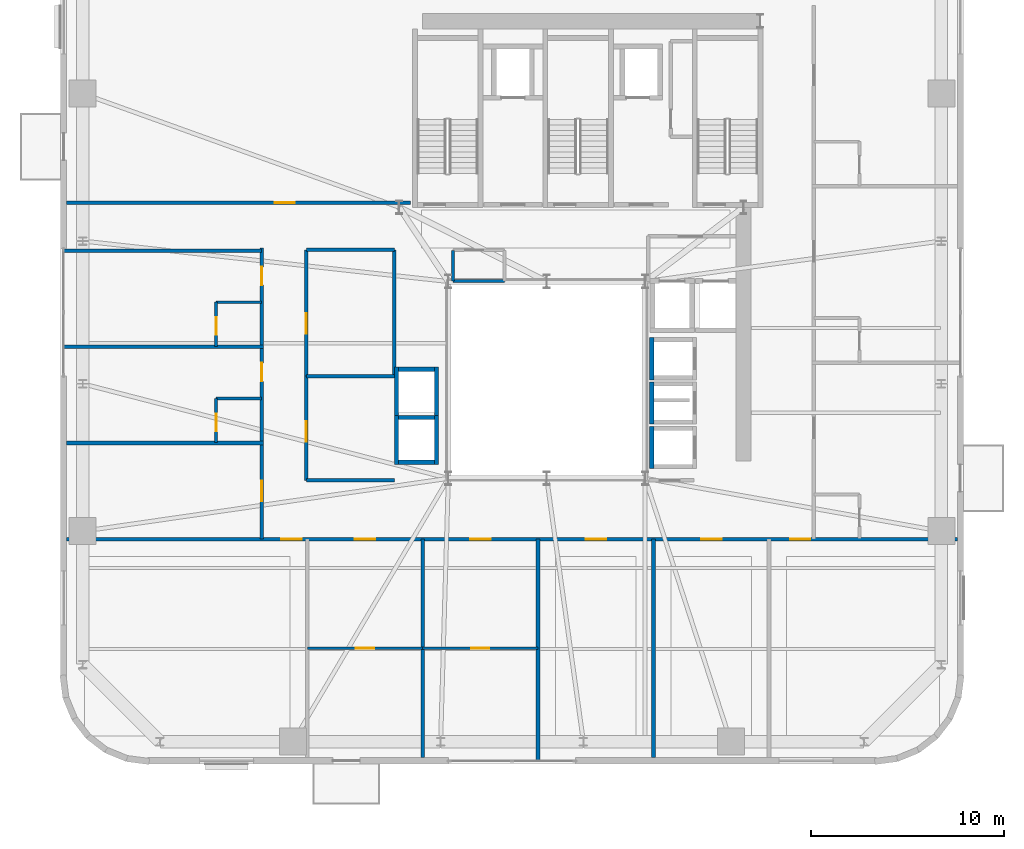
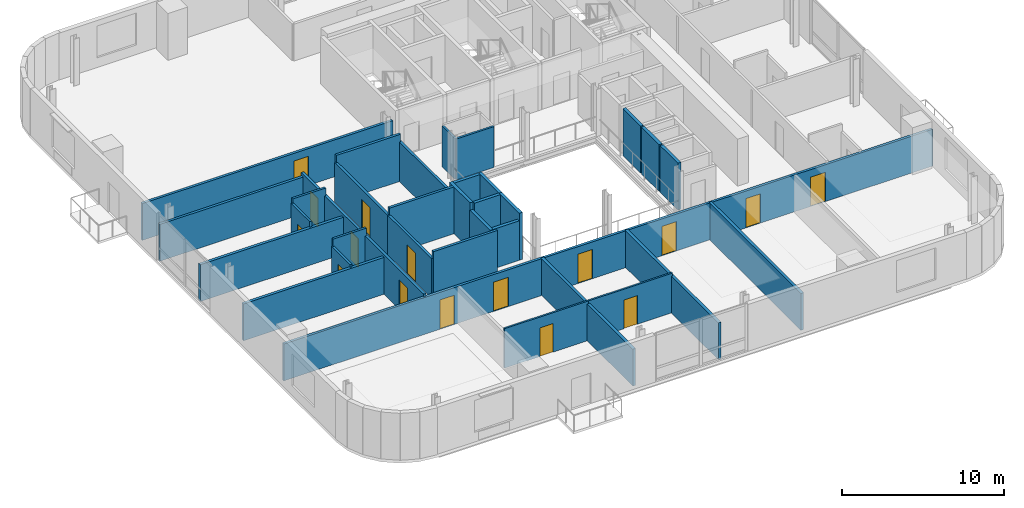
# One storey, part 8 of 16: 33 walls, 16 doors, 16 openings.
"""IFC4 building model written with IfcOpenShell, lengths in metres."""

from ifc_helpers import new_model, si_unit, direction, frame, frame_2d, origin, place, context, subcontext, project, spatial, rectangle, extrude, source, transform, mapped, material, layer, layer_set, type_object, element, fill, save


model = new_model("IFC4")

# Units and contexts
model_context = context("Model", 3, precision=1e-05, world=origin(), true_north=direction((0.0, 1.0)))
body_context = subcontext(model_context, "Body", "Model", "MODEL_VIEW")
ifc_project = project(units=[si_unit("LENGTHUNIT", "METRE"), si_unit("AREAUNIT", "SQUARE_METRE"), si_unit("VOLUMEUNIT", "CUBIC_METRE"), si_unit("PLANEANGLEUNIT", "RADIAN"), si_unit("MASSUNIT", "GRAM", prefix="KILO")], contexts=[model_context])

# Site, building, storey
site_placement = place(None, origin())
site = spatial("IfcSite", under=ifc_project, at=site_placement, CompositionType="ELEMENT")
building_placement = place(site_placement, origin())
building = spatial("IfcBuilding", under=site, at=building_placement, Name="Vardaveli Station Tower", CompositionType="ELEMENT")
storey_placement = place(building_placement, frame((0.0, 0.0, 203.550048828125)))
storey = spatial("IfcBuildingStorey", under=building, at=storey_placement, Name="L52", CompositionType="ELEMENT", Elevation=203.550048828125)

# Walls
ifc_material_1 = material(Name="Concrete C40/50", Category="concrete")
ifc_layer_1 = layer(ifc_material_1, 0.219970703125, Name="Concrete C40/50")
ifc_layer_set_1 = layer_set([ifc_layer_1], Name="Concrete C40/50")
wall_type_1 = type_object("IfcWallType", Name="WAL-FFLOBBY-220", PredefinedType="SOLIDWALL", material=ifc_layer_set_1)
shared_shape_1 = source(origin(), body_context, "Body", "SweptSolid", [
    extrude(rectangle(XDim=2.18994140625, YDim=0.219970703125, at=frame_2d((1.094970703125, 0.0))), origin(), (0.0, 0.0, 1.0), 3.530029296875),
])
for number, where, z_axis, x_axis, name in (
    (1, (41.739990234375, 21.705078125, 0.0), (0.0, 0.0, 1.0), (0.0, 1.0, 0.0), "SHW-HL3-01-L52-W"),
    (2, (41.739990234375, 19.405029296875, 0.0), (0.0, 0.0, 1.0), (0.0, 1.0, 0.0), "SHW-HL3-02-L52-W"),
    (3, (41.739990234375, 17.10498046875, 0.0), (0.0, 0.0, 1.0), (0.0, 1.0, 0.0), "SHW-HL3-03-L52-W"),
):
    element("IfcWall", number, at=place(storey_placement, frame(where, z_axis=z_axis, x_axis=x_axis)), inside=storey, type_object=wall_type_1, Name=name, PredefinedType="SOLIDWALL", context=body_context, shape_type="MappedRepresentation", body=[
        mapped(shared_shape_1, transform((0.0, 0.0, 0.0), scale=1.0)),
    ])
shared_shape_2 = source(origin(), body_context, "Body", "SweptSolid", [
    extrude(rectangle(XDim=1.85009765625, YDim=0.219970703125, at=frame_2d((0.925048828125, 0.0))), origin(), (0.0, 0.0, 1.0), 2.971923828125),
])
wall_1_placement = place(storey_placement, frame((28.625, 17.43994140625, 0.0), z_axis=(0.0, 0.0, 1.0), x_axis=(1.0, 0.0, 0.0)))
element("IfcWall", 4, at=wall_1_placement, inside=storey, type_object=wall_type_1, Name="SHW-OBS-01-L52-S", PredefinedType="SOLIDWALL", context=body_context, shape_type="MappedRepresentation", body=[
    mapped(shared_shape_2, transform((0.0, 0.0, 0.0), scale=1.0)),
])
shared_shape_3 = source(origin(), body_context, "Body", "SweptSolid", [
    extrude(rectangle(XDim=1.85009765625, YDim=0.219970703125, at=frame_2d((0.925048828125, 0.0))), origin(), (0.0, 0.0, 1.0), 3.530029296875),
])
for number, where, z_axis, x_axis, name in (
    (5, (28.625, 19.760009765625, 0.0), (0.0, 0.0, 1.0), (1.0, 0.0, 0.0), "SHW-OBS-01-L52-N"),
    (6, (28.625, 22.260009765625, 0.0), (0.0, 0.0, 1.0), (1.0, 0.0, 0.0), "SHW-OBS-02-L52-N"),
):
    element("IfcWall", number, at=place(storey_placement, frame(where, z_axis=z_axis, x_axis=x_axis)), inside=storey, type_object=wall_type_1, Name=name, PredefinedType="SOLIDWALL", context=body_context, shape_type="MappedRepresentation", body=[
        mapped(shared_shape_3, transform((0.0, 0.0, 0.0), scale=1.0)),
    ])
shared_shape_4 = source(origin(), body_context, "Body", "SweptSolid", [
    extrude(rectangle(XDim=2.5400390625, YDim=0.219970703125, at=frame_2d((1.27001953125, 0.0))), origin(), (0.0, 0.0, 1.0), 2.971923828125),
])
wall_2_placement = place(storey_placement, frame((28.514892578125, 17.330078125, 0.0), z_axis=(0.0, 0.0, 1.0), x_axis=(0.0, 1.0, 0.0)))
element("IfcWall", 7, at=wall_2_placement, inside=storey, type_object=wall_type_1, Name="SHW-OBS-01-L52-W", PredefinedType="SOLIDWALL", context=body_context, shape_type="MappedRepresentation", body=[
    mapped(shared_shape_4, transform((0.0, 0.0, 0.0), scale=1.0)),
])
shared_shape_5 = source(origin(), body_context, "Body", "SweptSolid", [
    extrude(rectangle(XDim=2.5400390625, YDim=0.219970703125, at=frame_2d((1.27001953125, 0.0))), origin(), (0.0, 0.0, 1.0), 3.530029296875),
])
for number, where, z_axis, x_axis, name in (
    (8, (30.5849609375, 17.330078125, 0.0), (0.0, 0.0, 1.0), (0.0, 1.0, 0.0), "SHW-OBS-01-L52-E"),
    (9, (28.514892578125, 19.830078125, 0.0), (0.0, 0.0, 1.0), (0.0, 1.0, 0.0), "SHW-OBS-02-L52-W"),
    (10, (30.5849609375, 19.830078125, 0.0), (0.0, 0.0, 1.0), (0.0, 1.0, 0.0), "SHW-OBS-02-L52-E"),
):
    element("IfcWall", number, at=place(storey_placement, frame(where, z_axis=z_axis, x_axis=x_axis)), inside=storey, type_object=wall_type_1, Name=name, PredefinedType="SOLIDWALL", context=body_context, shape_type="MappedRepresentation", body=[
        mapped(shared_shape_5, transform((0.0, 0.0, 0.0), scale=1.0)),
    ])

# Wall, openings, doors
ifc_material_2 = material(Name="Fire-rated gypsum stud partition")
ifc_layer_2 = layer(ifc_material_2, 0.179931640625, Name="Fire-rated gypsum stud partition")
ifc_layer_set_2 = layer_set([ifc_layer_2], Name="Fire-rated gypsum stud partition")
wall_type_2 = type_object("IfcWallType", Name="WAL-CORR-180", PredefinedType="PARTITIONING", material=ifc_layer_set_2)
shared_shape_6 = source(origin(), body_context, "Body", "SweptSolid", [
    extrude(rectangle(XDim=46.15576171875, YDim=0.179931640625, at=frame_2d((23.077880859375, 0.0))), origin(), (0.0, 0.0, 1.0), 2.77197265625),
])
wall_3_placement = place(storey_placement, frame((11.422119140625, 13.449951171875, 0.0), z_axis=(0.0, 0.0, 1.0), x_axis=(1.0, 0.0, 0.0)))
wall_3 = element("IfcWall", 11, at=wall_3_placement, inside=storey, type_object=wall_type_2, Name="W-L52-CS", PredefinedType="PARTITIONING", context=body_context, shape_type="MappedRepresentation", body=[
    mapped(shared_shape_6, transform((0.0, 0.0, 0.0), scale=1.0)),
])
shared_shape_7 = source(origin(), body_context, "Body", "SweptSolid", [
    extrude(rectangle(XDim=1.050048828125, YDim=2.199951171875, at=frame_2d((0.52490234375, 1.10009765625))), frame((0.0, 0.10009765625, 0.0), z_axis=(0.0, -1.0, 0.0), x_axis=(1.0, 0.0, 0.0)), (0.0, 0.0, 1.0), 0.199951171875),
])
opening_1_placement = place(wall_3_placement, frame((11.117919921875, 0.0, 0.0)))
opening_1 = element("IfcOpeningElement", 12, at=opening_1_placement, cuts=wall_3, Name="Opening D-05", PredefinedType="OPENING", context=body_context, shape_type="MappedRepresentation", body=[
    mapped(shared_shape_7, transform((0.0, 0.0, 0.0), scale=1.0)),
])
opening_2_placement = place(wall_3_placement, frame((14.939208984375, 0.0, 0.0)))
opening_2 = element("IfcOpeningElement", 13, at=opening_2_placement, cuts=wall_3, Name="Opening D-05", PredefinedType="OPENING", context=body_context, shape_type="MappedRepresentation", body=[
    mapped(shared_shape_7, transform((0.0, 0.0, 0.0), scale=1.0)),
])
opening_3_placement = place(wall_3_placement, frame((20.921630859375, 0.0, 0.0)))
opening_3 = element("IfcOpeningElement", 14, at=opening_3_placement, cuts=wall_3, Name="Opening D-05", PredefinedType="OPENING", context=body_context, shape_type="MappedRepresentation", body=[
    mapped(shared_shape_7, transform((0.0, 0.0, 0.0), scale=1.0)),
])
opening_4_placement = place(wall_3_placement, frame((26.904296875, 0.0, 0.0)))
opening_4 = element("IfcOpeningElement", 15, at=opening_4_placement, cuts=wall_3, Name="Opening D-05", PredefinedType="OPENING", context=body_context, shape_type="MappedRepresentation", body=[
    mapped(shared_shape_7, transform((0.0, 0.0, 0.0), scale=1.0)),
])
opening_5_placement = place(wall_3_placement, frame((32.88671875, 0.0, 0.0)))
opening_5 = element("IfcOpeningElement", 16, at=opening_5_placement, cuts=wall_3, Name="Opening D-05", PredefinedType="OPENING", context=body_context, shape_type="MappedRepresentation", body=[
    mapped(shared_shape_7, transform((0.0, 0.0, 0.0), scale=1.0)),
])
opening_6_placement = place(wall_3_placement, frame((37.498046875, 0.0, 0.0)))
opening_6 = element("IfcOpeningElement", 17, at=opening_6_placement, cuts=wall_3, Name="Opening D-05", PredefinedType="OPENING", context=body_context, shape_type="MappedRepresentation", body=[
    mapped(shared_shape_7, transform((0.0, 0.0, 0.0), scale=1.0)),
])
ifc_material_3 = material(Name="Walnut veneer acoustic fire door")
door_type_1 = type_object("IfcDoorType", Name="DR-SUITE-1050x2200", OperationType="NOTDEFINED", PredefinedType="DOOR", material=ifc_material_3)
shared_shape_8 = source(origin(), body_context, "Body", "SweptSolid", [
    extrude(rectangle(XDim=1.050048828125, YDim=2.199951171875, at=frame_2d((0.52490234375, 1.10009765625))), frame((0.0, 0.02490234375, 0.0), z_axis=(0.0, -1.0, 0.0), x_axis=(1.0, 0.0, 0.0)), (0.0, 0.0, 1.0), 0.050048828125),
])
door_1_placement = place(opening_1_placement, origin())
door_1 = element("IfcDoor", 18, at=door_1_placement, inside=storey, type_object=door_type_1, Name="D-L52-SA1", OperationType="SINGLE_SWING_RIGHT", OverallHeight=2.199951171875, OverallWidth=1.050048828125, PredefinedType="DOOR", context=body_context, shape_type="MappedRepresentation", body=[
    mapped(shared_shape_8, transform((0.0, 0.0, 0.0), scale=1.0)),
])
fill(opening_1, door_1)
door_2_placement = place(opening_2_placement, origin())
door_2 = element("IfcDoor", 19, at=door_2_placement, inside=storey, type_object=door_type_1, Name="D-L52-SCB2", OperationType="SINGLE_SWING_LEFT", OverallHeight=2.199951171875, OverallWidth=1.050048828125, PredefinedType="DOOR", context=body_context, shape_type="MappedRepresentation", body=[
    mapped(shared_shape_8, transform((0.0, 0.0, 0.0), scale=1.0)),
])
fill(opening_2, door_2)
door_3_placement = place(opening_3_placement, origin())
door_3 = element("IfcDoor", 20, at=door_3_placement, inside=storey, type_object=door_type_1, Name="D-L52-SCB3", OperationType="SINGLE_SWING_RIGHT", OverallHeight=2.199951171875, OverallWidth=1.050048828125, PredefinedType="DOOR", context=body_context, shape_type="MappedRepresentation", body=[
    mapped(shared_shape_8, transform((0.0, 0.0, 0.0), scale=1.0)),
])
fill(opening_3, door_3)
door_4_placement = place(opening_4_placement, origin())
door_4 = element("IfcDoor", 21, at=door_4_placement, inside=storey, type_object=door_type_1, Name="D-L52-SA4", OperationType="SINGLE_SWING_LEFT", OverallHeight=2.199951171875, OverallWidth=1.050048828125, PredefinedType="DOOR", context=body_context, shape_type="MappedRepresentation", body=[
    mapped(shared_shape_8, transform((0.0, 0.0, 0.0), scale=1.0)),
])
fill(opening_4, door_4)
door_5_placement = place(opening_5_placement, origin())
door_5 = element("IfcDoor", 22, at=door_5_placement, inside=storey, type_object=door_type_1, Name="D-L52-SA5", OperationType="SINGLE_SWING_RIGHT", OverallHeight=2.199951171875, OverallWidth=1.050048828125, PredefinedType="DOOR", context=body_context, shape_type="MappedRepresentation", body=[
    mapped(shared_shape_8, transform((0.0, 0.0, 0.0), scale=1.0)),
])
fill(opening_5, door_5)
door_6_placement = place(opening_6_placement, origin())
door_6 = element("IfcDoor", 23, at=door_6_placement, inside=storey, type_object=door_type_1, Name="D-L52-SA6", OperationType="SINGLE_SWING_LEFT", OverallHeight=2.199951171875, OverallWidth=1.050048828125, PredefinedType="DOOR", context=body_context, shape_type="MappedRepresentation", body=[
    mapped(shared_shape_8, transform((0.0, 0.0, 0.0), scale=1.0)),
])
fill(opening_6, door_6)

# Wall, opening, door
shared_shape_9 = source(origin(), body_context, "Body", "SweptSolid", [
    extrude(rectangle(XDim=17.827880859375, YDim=0.179931640625, at=frame_2d((8.9140625, 0.0))), origin(), (0.0, 0.0, 1.0), 2.77197265625),
])
wall_4_placement = place(storey_placement, frame((11.422119140625, 30.8798828125, 0.0), z_axis=(0.0, 0.0, 1.0), x_axis=(1.0, 0.0, 0.0)))
wall_4 = element("IfcWall", 24, at=wall_4_placement, inside=storey, type_object=wall_type_2, Name="W-L52-CNWS", PredefinedType="PARTITIONING", context=body_context, shape_type="MappedRepresentation", body=[
    mapped(shared_shape_9, transform((0.0, 0.0, 0.0), scale=1.0)),
])
opening_7_placement = place(wall_4_placement, frame((10.778076171875, 0.0, 0.0)))
opening_7 = element("IfcOpeningElement", 25, at=opening_7_placement, cuts=wall_4, Name="Opening D-05", PredefinedType="OPENING", context=body_context, shape_type="MappedRepresentation", body=[
    mapped(shared_shape_7, transform((0.0, 0.0, 0.0), scale=1.0)),
])
door_7_placement = place(opening_7_placement, origin())
door_7 = element("IfcDoor", 26, at=door_7_placement, inside=storey, type_object=door_type_1, Name="D-L52-GNW1", OperationType="SINGLE_SWING_RIGHT", OverallHeight=2.199951171875, OverallWidth=1.050048828125, PredefinedType="DOOR", context=body_context, shape_type="MappedRepresentation", body=[
    mapped(shared_shape_8, transform((0.0, 0.0, 0.0), scale=1.0)),
])
fill(opening_7, door_7)

ifc_material_4 = material(Name="Moisture-resistant stud partition")
ifc_layer_3 = layer(ifc_material_4, 0.14990234375, Name="Moisture-resistant stud partition")
ifc_layer_set_3 = layer_set([ifc_layer_3], Name="Moisture-resistant stud partition")
wall_type_3 = type_object("IfcWallType", Name="WAL-WET-150", PredefinedType="PARTITIONING", material=ifc_layer_set_3)
shared_shape_10 = source(origin(), body_context, "Body", "SweptSolid", [
    extrude(rectangle(XDim=2.2900390625, YDim=0.14990234375, at=frame_2d((1.14501953125, 0.0))), origin(), (0.0, 0.0, 1.0), 2.971923828125),
])
wall_5_placement = place(storey_placement, frame((19.159912109375, 18.452880859375, 0.0), z_axis=(0.0, 0.0, 1.0), x_axis=(0.0, 1.0, 0.0)))
wall_5 = element("IfcWall", 27, at=wall_5_placement, inside=storey, type_object=wall_type_3, Name="W-L52-BW2-W", PredefinedType="PARTITIONING", context=body_context, shape_type="MappedRepresentation", body=[
    mapped(shared_shape_10, transform((0.0, 0.0, 0.0), scale=1.0)),
])
shared_shape_11 = source(origin(), body_context, "Body", "SweptSolid", [
    extrude(rectangle(XDim=0.89990234375, YDim=2.10009765625, at=frame_2d((0.449951171875, 1.050048828125))), frame((0.0, 0.0849609375, 0.0), z_axis=(0.0, -1.0, 0.0), x_axis=(1.0, 0.0, 0.0)), (0.0, 0.0, 1.0), 0.169921875),
])
opening_8_placement = place(wall_5_placement, frame((0.60009765625, 0.0, 0.0)))
opening_8 = element("IfcOpeningElement", 28, at=opening_8_placement, cuts=wall_5, Name="Opening D-08", PredefinedType="OPENING", context=body_context, shape_type="MappedRepresentation", body=[
    mapped(shared_shape_11, transform((0.0, 0.0, 0.0), scale=1.0)),
])
ifc_material_5 = material(Name="Moisture-resistant oak door")
door_type_2 = type_object("IfcDoorType", Name="DR-BATH-900x2100", OperationType="NOTDEFINED", PredefinedType="DOOR", material=ifc_material_5)
shared_shape_12 = source(origin(), body_context, "Body", "SweptSolid", [
    extrude(rectangle(XDim=0.89990234375, YDim=2.10009765625, at=frame_2d((0.449951171875, 1.050048828125))), frame((0.0, 0.02490234375, 0.0), z_axis=(0.0, -1.0, 0.0), x_axis=(1.0, 0.0, 0.0)), (0.0, 0.0, 1.0), 0.050048828125),
])
door_8_placement = place(opening_8_placement, origin())
door_8 = element("IfcDoor", 29, at=door_8_placement, inside=storey, type_object=door_type_2, Name="D-L52-BW2", OperationType="SINGLE_SWING_RIGHT", OverallHeight=2.10009765625, OverallWidth=0.89990234375, PredefinedType="DOOR", context=body_context, shape_type="MappedRepresentation", body=[
    mapped(shared_shape_12, transform((0.0, 0.0, 0.0), scale=1.0)),
])
fill(opening_8, door_8)

# Walls
shared_shape_13 = source(origin(), body_context, "Body", "SweptSolid", [
    extrude(rectangle(XDim=2.360107421875, YDim=0.14990234375, at=frame_2d((1.18017578125, 0.0))), origin(), (0.0, 0.0, 1.0), 3.530029296875),
])
for number, where, z_axis, x_axis, name in (
    (30, (19.159912109375, 20.742919921875, 0.0), (0.0, 0.0, 1.0), (1.0, 0.0, 0.0), "W-L52-BW2-N"),
    (31, (19.159912109375, 25.72705078125, 0.0), (0.0, 0.0, 1.0), (1.0, 0.0, 0.0), "W-L52-BW3-N"),
):
    element("IfcWall", number, at=place(storey_placement, frame(where, z_axis=z_axis, x_axis=x_axis)), inside=storey, type_object=wall_type_3, Name=name, PredefinedType="PARTITIONING", context=body_context, shape_type="MappedRepresentation", body=[
        mapped(shared_shape_13, transform((0.0, 0.0, 0.0), scale=1.0)),
    ])

# Wall, opening, door
shared_shape_14 = source(origin(), body_context, "Body", "SweptSolid", [
    extrude(rectangle(XDim=6.5400390625, YDim=0.179931640625, at=frame_2d((3.27001953125, 0.0))), origin(), (0.0, 0.0, 1.0), 2.971923828125),
])
wall_6_placement = place(storey_placement, frame((23.840087890625, 21.89990234375, 0.0), z_axis=(0.0, 0.0, 1.0), x_axis=(0.0, 1.0, 0.0)))
wall_6 = element("IfcWall", 32, at=wall_6_placement, inside=storey, type_object=wall_type_2, Name="W-L52-ATW2-W", PredefinedType="PARTITIONING", context=body_context, shape_type="MappedRepresentation", body=[
    mapped(shared_shape_14, transform((0.0, 0.0, 0.0), scale=1.0)),
])
opening_9_placement = place(wall_6_placement, frame((2.199951171875, 0.0, 0.0)))
opening_9 = element("IfcOpeningElement", 33, at=opening_9_placement, cuts=wall_6, Name="Opening D-05", PredefinedType="OPENING", context=body_context, shape_type="MappedRepresentation", body=[
    mapped(shared_shape_7, transform((0.0, 0.0, 0.0), scale=1.0)),
])
door_9_placement = place(opening_9_placement, origin())
door_9 = element("IfcDoor", 34, at=door_9_placement, inside=storey, type_object=door_type_1, Name="D-L52-ATW2", OperationType="SINGLE_SWING_RIGHT", OverallHeight=2.199951171875, OverallWidth=1.050048828125, PredefinedType="DOOR", context=body_context, shape_type="MappedRepresentation", body=[
    mapped(shared_shape_8, transform((0.0, 0.0, 0.0), scale=1.0)),
])
fill(opening_9, door_9)

# Wall
wall_7_placement = place(storey_placement, frame((28.39990234375, 21.89990234375, 0.0), z_axis=(0.0, 0.0, 1.0), x_axis=(0.0, 1.0, 0.0)))
element("IfcWall", 35, at=wall_7_placement, inside=storey, type_object=wall_type_2, Name="W-L52-ATW2-E", PredefinedType="PARTITIONING", context=body_context, shape_type="MappedRepresentation", body=[
    mapped(shared_shape_14, transform((0.0, 0.0, 0.0), scale=1.0)),
])

# Wall, opening, door
shared_shape_15 = source(origin(), body_context, "Body", "SweptSolid", [
    extrude(rectangle(XDim=5.39990234375, YDim=0.179931640625, at=frame_2d((2.699951171875, 0.0))), origin(), (0.0, 0.0, 1.0), 2.971923828125),
])
wall_8_placement = place(storey_placement, frame((23.840087890625, 16.5, 0.0), z_axis=(0.0, 0.0, 1.0), x_axis=(0.0, 1.0, 0.0)))
wall_8 = element("IfcWall", 36, at=wall_8_placement, inside=storey, type_object=wall_type_2, Name="W-L52-ATW1-W", PredefinedType="PARTITIONING", context=body_context, shape_type="MappedRepresentation", body=[
    mapped(shared_shape_15, transform((0.0, 0.0, 0.0), scale=1.0)),
])
opening_10_placement = place(wall_8_placement, frame((2.0, 0.0, 0.0)))
opening_10 = element("IfcOpeningElement", 37, at=opening_10_placement, cuts=wall_8, Name="Opening D-05", PredefinedType="OPENING", context=body_context, shape_type="MappedRepresentation", body=[
    mapped(shared_shape_7, transform((0.0, 0.0, 0.0), scale=1.0)),
])
door_10_placement = place(opening_10_placement, origin())
door_10 = element("IfcDoor", 38, at=door_10_placement, inside=storey, type_object=door_type_1, Name="D-L52-ATW1", OperationType="SINGLE_SWING_LEFT", OverallHeight=2.199951171875, OverallWidth=1.050048828125, PredefinedType="DOOR", context=body_context, shape_type="MappedRepresentation", body=[
    mapped(shared_shape_8, transform((0.0, 0.0, 0.0), scale=1.0)),
])
fill(opening_10, door_10)

# Walls
shared_shape_16 = source(origin(), body_context, "Body", "SweptSolid", [
    extrude(rectangle(XDim=2.670166015625, YDim=0.14990234375, at=frame_2d((1.3349609375, 0.0))), origin(), (0.0, 0.0, 1.0), 3.072021484375),
])
wall_9_placement = place(storey_placement, frame((31.449951171875, 26.820068359375, 0.0), z_axis=(0.0, 0.0, 1.0), x_axis=(1.0, 0.0, 0.0)))
element("IfcWall", 39, at=wall_9_placement, inside=storey, type_object=wall_type_3, Name="W-L52-WCA1-S", PredefinedType="PARTITIONING", context=body_context, shape_type="MappedRepresentation", body=[
    mapped(shared_shape_16, transform((0.0, 0.0, 0.0), scale=1.0)),
])
shared_shape_17 = source(origin(), body_context, "Body", "SweptSolid", [
    extrude(rectangle(XDim=1.599853515625, YDim=0.14990234375, at=frame_2d((0.7998046875, 0.0))), origin(), (0.0, 0.0, 1.0), 3.072021484375),
])
wall_10_placement = place(storey_placement, frame((31.449951171875, 26.820068359375, 0.0), z_axis=(0.0, 0.0, 1.0), x_axis=(0.0, 1.0, 0.0)))
element("IfcWall", 40, at=wall_10_placement, inside=storey, type_object=wall_type_3, Name="W-L52-WCA1-W", PredefinedType="PARTITIONING", context=body_context, shape_type="MappedRepresentation", body=[
    mapped(shared_shape_17, transform((0.0, 0.0, 0.0), scale=1.0)),
])

# Wall, openings, doors
shared_shape_18 = source(origin(), body_context, "Body", "SweptSolid", [
    extrude(rectangle(XDim=15.10009765625, YDim=0.179931640625, at=frame_2d((7.550048828125, 0.0))), origin(), (0.0, 0.0, 1.0), 2.971923828125),
])
wall_11_placement = place(storey_placement, frame((21.52001953125, 13.449951171875, 0.0), z_axis=(0.0, 0.0, 1.0), x_axis=(0.0, 1.0, 0.0)))
wall_11 = element("IfcWall", 41, at=wall_11_placement, inside=storey, type_object=wall_type_2, Name="W-L52-CW", PredefinedType="PARTITIONING", context=body_context, shape_type="MappedRepresentation", body=[
    mapped(shared_shape_18, transform((0.0, 0.0, 0.0), scale=1.0)),
])
opening_11_placement = place(wall_11_placement, frame((1.9716796875, 0.0, 0.0)))
opening_11 = element("IfcOpeningElement", 42, at=opening_11_placement, cuts=wall_11, Name="Opening D-05", PredefinedType="OPENING", context=body_context, shape_type="MappedRepresentation", body=[
    mapped(shared_shape_7, transform((0.0, 0.0, 0.0), scale=1.0)),
])
shared_shape_19 = source(origin(), body_context, "Body", "SweptSolid", [
    extrude(rectangle(XDim=0.949951171875, YDim=2.14990234375, at=frame_2d((0.47509765625, 1.074951171875))), frame((0.0, 0.10009765625, 0.0), z_axis=(0.0, -1.0, 0.0), x_axis=(1.0, 0.0, 0.0)), (0.0, 0.0, 1.0), 0.199951171875),
])
opening_12_placement = place(wall_11_placement, frame((8.179931640625, 0.0, 0.0)))
opening_12 = element("IfcOpeningElement", 43, at=opening_12_placement, cuts=wall_11, Name="Opening D-06", PredefinedType="OPENING", context=body_context, shape_type="MappedRepresentation", body=[
    mapped(shared_shape_19, transform((0.0, 0.0, 0.0), scale=1.0)),
])
opening_13_placement = place(wall_11_placement, frame((13.163330078125, 0.0, 0.0)))
opening_13 = element("IfcOpeningElement", 44, at=opening_13_placement, cuts=wall_11, Name="Opening D-06", PredefinedType="OPENING", context=body_context, shape_type="MappedRepresentation", body=[
    mapped(shared_shape_19, transform((0.0, 0.0, 0.0), scale=1.0)),
])
door_11_placement = place(opening_11_placement, origin())
door_11 = element("IfcDoor", 45, at=door_11_placement, inside=storey, type_object=door_type_1, Name="D-L52-GW1", OperationType="SINGLE_SWING_LEFT", OverallHeight=2.199951171875, OverallWidth=1.050048828125, PredefinedType="DOOR", context=body_context, shape_type="MappedRepresentation", body=[
    mapped(shared_shape_8, transform((0.0, 0.0, 0.0), scale=1.0)),
])
fill(opening_11, door_11)
ifc_material_6 = material(Name="Oak veneer acoustic fire door")
door_type_3 = type_object("IfcDoorType", Name="DR-GUEST-950x2150", OperationType="NOTDEFINED", PredefinedType="DOOR", material=ifc_material_6)
shared_shape_20 = source(origin(), body_context, "Body", "SweptSolid", [
    extrude(rectangle(XDim=0.949951171875, YDim=2.14990234375, at=frame_2d((0.47509765625, 1.074951171875))), frame((0.0, 0.02490234375, 0.0), z_axis=(0.0, -1.0, 0.0), x_axis=(1.0, 0.0, 0.0)), (0.0, 0.0, 1.0), 0.050048828125),
])
door_12_placement = place(opening_12_placement, origin())
door_12 = element("IfcDoor", 46, at=door_12_placement, inside=storey, type_object=door_type_3, Name="D-L52-GW2", OperationType="SINGLE_SWING_RIGHT", OverallHeight=2.14990234375, OverallWidth=0.949951171875, PredefinedType="DOOR", context=body_context, shape_type="MappedRepresentation", body=[
    mapped(shared_shape_20, transform((0.0, 0.0, 0.0), scale=1.0)),
])
fill(opening_12, door_12)
door_13_placement = place(opening_13_placement, origin())
door_13 = element("IfcDoor", 47, at=door_13_placement, inside=storey, type_object=door_type_3, Name="D-L52-GW3", OperationType="SINGLE_SWING_LEFT", OverallHeight=2.14990234375, OverallWidth=0.949951171875, PredefinedType="DOOR", context=body_context, shape_type="MappedRepresentation", body=[
    mapped(shared_shape_20, transform((0.0, 0.0, 0.0), scale=1.0)),
])
fill(opening_13, door_13)

# Wall, opening, door
ifc_material_7 = material(Name="Gypsum board stud partition")
ifc_layer_4 = layer(ifc_material_7, 0.125, Name="Gypsum board stud partition")
ifc_layer_set_4 = layer_set([ifc_layer_4], Name="Gypsum board stud partition")
wall_type_4 = type_object("IfcWallType", Name="WAL-INT-125", PredefinedType="PARTITIONING", material=ifc_layer_set_4)
shared_shape_21 = source(origin(), body_context, "Body", "SweptSolid", [
    extrude(rectangle(XDim=5.98291015625, YDim=0.125, at=frame_2d((2.991455078125, 0.0))), origin(), (0.0, 0.0, 1.0), 2.971923828125),
])
wall_12_placement = place(storey_placement, frame((29.8720703125, 7.800048828125, 0.0), z_axis=(0.0, 0.0, 1.0), x_axis=(1.0, 0.0, 0.0)))
wall_12 = element("IfcWall", 48, at=wall_12_placement, inside=storey, type_object=wall_type_4, Name="W-L52-SCM3", PredefinedType="PARTITIONING", context=body_context, shape_type="MappedRepresentation", body=[
    mapped(shared_shape_21, transform((0.0, 0.0, 0.0), scale=1.0)),
])
shared_shape_22 = source(origin(), body_context, "Body", "SweptSolid", [
    extrude(rectangle(XDim=0.949951171875, YDim=2.14990234375, at=frame_2d((0.47509765625, 1.074951171875))), frame((0.0, 0.072509765625, 0.0), z_axis=(0.0, -1.0, 0.0), x_axis=(1.0, 0.0, 0.0)), (0.0, 0.0, 1.0), 0.14501953125),
])
opening_14_placement = place(wall_12_placement, frame((2.51123046875, 0.0, 0.0)))
opening_14 = element("IfcOpeningElement", 49, at=opening_14_placement, cuts=wall_12, Name="Opening D-11", PredefinedType="OPENING", context=body_context, shape_type="MappedRepresentation", body=[
    mapped(shared_shape_22, transform((0.0, 0.0, 0.0), scale=1.0)),
])
ifc_material_8 = material(Name="Oak veneer internal suite door")
door_type_4 = type_object("IfcDoorType", Name="DR-INT-950x2150", OperationType="NOTDEFINED", PredefinedType="DOOR", material=ifc_material_8)
door_14_placement = place(opening_14_placement, origin())
door_14 = element("IfcDoor", 50, at=door_14_placement, inside=storey, type_object=door_type_4, Name="D-L52-SCF3", OperationType="SINGLE_SWING_LEFT", OverallHeight=2.14990234375, OverallWidth=0.949951171875, PredefinedType="DOOR", context=body_context, shape_type="MappedRepresentation", body=[
    mapped(shared_shape_20, transform((0.0, 0.0, 0.0), scale=1.0)),
])
fill(opening_14, door_14)

shared_shape_23 = source(origin(), body_context, "Body", "SweptSolid", [
    extrude(rectangle(XDim=5.982177734375, YDim=0.125, at=frame_2d((2.9912109375, 0.0))), origin(), (0.0, 0.0, 1.0), 2.971923828125),
])
wall_13_placement = place(storey_placement, frame((23.889892578125, 7.800048828125, 0.0), z_axis=(0.0, 0.0, 1.0), x_axis=(1.0, 0.0, 0.0)))
wall_13 = element("IfcWall", 51, at=wall_13_placement, inside=storey, type_object=wall_type_4, Name="W-L52-SCM2", PredefinedType="PARTITIONING", context=body_context, shape_type="MappedRepresentation", body=[
    mapped(shared_shape_23, transform((0.0, 0.0, 0.0), scale=1.0)),
])
opening_15_placement = place(wall_13_placement, frame((2.51123046875, 0.0, 0.0)))
opening_15 = element("IfcOpeningElement", 52, at=opening_15_placement, cuts=wall_13, Name="Opening D-11", PredefinedType="OPENING", context=body_context, shape_type="MappedRepresentation", body=[
    mapped(shared_shape_22, transform((0.0, 0.0, 0.0), scale=1.0)),
])
door_15_placement = place(opening_15_placement, origin())
door_15 = element("IfcDoor", 53, at=door_15_placement, inside=storey, type_object=door_type_4, Name="D-L52-SCF2", OperationType="SINGLE_SWING_RIGHT", OverallHeight=2.14990234375, OverallWidth=0.949951171875, PredefinedType="DOOR", context=body_context, shape_type="MappedRepresentation", body=[
    mapped(shared_shape_20, transform((0.0, 0.0, 0.0), scale=1.0)),
])
fill(opening_15, door_15)

shared_shape_24 = source(origin(), body_context, "Body", "SweptSolid", [
    extrude(rectangle(XDim=2.2900390625, YDim=0.14990234375, at=frame_2d((1.14501953125, 0.0))), origin(), (0.0, 0.0, 1.0), 3.19189453125),
])
wall_14_placement = place(storey_placement, frame((19.159912109375, 23.43701171875, 0.0), z_axis=(0.0, 0.0, 1.0), x_axis=(0.0, 1.0, 0.0)))
wall_14 = element("IfcWall", 54, at=wall_14_placement, inside=storey, type_object=wall_type_3, Name="W-L52-BW3-W", PredefinedType="PARTITIONING", context=body_context, shape_type="MappedRepresentation", body=[
    mapped(shared_shape_24, transform((0.0, 0.0, 0.0), scale=1.0)),
])
opening_16_placement = place(wall_14_placement, frame((0.60009765625, 0.0, 0.0)))
opening_16 = element("IfcOpeningElement", 55, at=opening_16_placement, cuts=wall_14, Name="Opening D-08", PredefinedType="OPENING", context=body_context, shape_type="MappedRepresentation", body=[
    mapped(shared_shape_11, transform((0.0, 0.0, 0.0), scale=1.0)),
])
door_16_placement = place(opening_16_placement, origin())
door_16 = element("IfcDoor", 56, at=door_16_placement, inside=storey, type_object=door_type_2, Name="D-L52-BW3", OperationType="SINGLE_SWING_LEFT", OverallHeight=2.10009765625, OverallWidth=0.89990234375, PredefinedType="DOOR", context=body_context, shape_type="MappedRepresentation", body=[
    mapped(shared_shape_12, transform((0.0, 0.0, 0.0), scale=1.0)),
])
fill(opening_16, door_16)

# Walls
ifc_material_9 = material(Name="Acoustic twin-stud gypsum partition")
ifc_layer_5 = layer(ifc_material_9, 0.199951171875, Name="Acoustic twin-stud gypsum partition")
ifc_layer_set_5 = layer_set([ifc_layer_5], Name="Acoustic twin-stud gypsum partition")
wall_type_5 = type_object("IfcWallType", Name="WAL-PARTY-200", PredefinedType="PARTITIONING", material=ifc_layer_set_5)
shared_shape_25 = source(origin(), body_context, "Body", "SweptSolid", [
    extrude(rectangle(XDim=11.327880859375, YDim=0.199951171875, at=frame_2d((5.6640625, 0.0))), origin(), (0.0, 0.0, 1.0), 2.77197265625),
])
for number, where, z_axis, x_axis, name in (
    (57, (29.8720703125, 2.1220703125, 0.0), (0.0, 0.0, 1.0), (0.0, 1.0, 0.0), "W-L52-PS2"),
    (58, (41.8369140625, 2.1220703125, 0.0), (0.0, 0.0, 1.0), (0.0, 1.0, 0.0), "W-L52-PS4"),
):
    element("IfcWall", number, at=place(storey_placement, frame(where, z_axis=z_axis, x_axis=x_axis)), inside=storey, type_object=wall_type_5, Name=name, PredefinedType="PARTITIONING", context=body_context, shape_type="MappedRepresentation", body=[
        mapped(shared_shape_25, transform((0.0, 0.0, 0.0), scale=1.0)),
    ])
shared_shape_26 = source(origin(), body_context, "Body", "SweptSolid", [
    extrude(rectangle(XDim=11.52001953125, YDim=0.199951171875, at=frame_2d((5.760009765625, 0.0))), origin(), (0.0, 0.0, 1.0), 2.77197265625),
])
wall_15_placement = place(storey_placement, frame((35.85498046875, 1.929931640625, 0.0), z_axis=(0.0, 0.0, 1.0), x_axis=(0.0, 1.0, 0.0)))
element("IfcWall", 59, at=wall_15_placement, inside=storey, type_object=wall_type_5, Name="W-L52-PS3", PredefinedType="PARTITIONING", context=body_context, shape_type="MappedRepresentation", body=[
    mapped(shared_shape_26, transform((0.0, 0.0, 0.0), scale=1.0)),
])
shared_shape_27 = source(origin(), body_context, "Body", "SweptSolid", [
    extrude(rectangle(XDim=10.197998046875, YDim=0.199951171875, at=frame_2d((5.09912109375, 0.0))), origin(), (0.0, 0.0, 1.0), 2.77197265625),
])
wall_16_placement = place(storey_placement, frame((11.422119140625, 18.43310546875, 0.0), z_axis=(0.0, 0.0, 1.0), x_axis=(1.0, 0.0, 0.0)))
element("IfcWall", 60, at=wall_16_placement, inside=storey, type_object=wall_type_5, Name="W-L52-PW1", PredefinedType="PARTITIONING", context=body_context, shape_type="MappedRepresentation", body=[
    mapped(shared_shape_27, transform((0.0, 0.0, 0.0), scale=1.0)),
])
shared_shape_28 = source(origin(), body_context, "Body", "SweptSolid", [
    extrude(rectangle(XDim=10.39013671875, YDim=0.199951171875, at=frame_2d((5.195068359375, 0.0))), origin(), (0.0, 0.0, 1.0), 2.77197265625),
])
wall_17_placement = place(storey_placement, frame((11.22998046875, 23.4169921875, 0.0), z_axis=(0.0, 0.0, 1.0), x_axis=(1.0, 0.0, 0.0)))
element("IfcWall", 61, at=wall_17_placement, inside=storey, type_object=wall_type_5, Name="W-L52-PW2", PredefinedType="PARTITIONING", context=body_context, shape_type="MappedRepresentation", body=[
    mapped(shared_shape_28, transform((0.0, 0.0, 0.0), scale=1.0)),
])
shared_shape_29 = source(origin(), body_context, "Body", "SweptSolid", [
    extrude(rectangle(XDim=10.2900390625, YDim=0.179931640625, at=frame_2d((5.14501953125, 0.0))), origin(), (0.0, 0.0, 1.0), 2.77197265625),
])
wall_18_placement = place(storey_placement, frame((11.22998046875, 28.39990234375, 0.0), z_axis=(0.0, 0.0, 1.0), x_axis=(1.0, 0.0, 0.0)))
element("IfcWall", 62, at=wall_18_placement, inside=storey, type_object=wall_type_2, Name="W-L52-CWN", PredefinedType="PARTITIONING", context=body_context, shape_type="MappedRepresentation", body=[
    mapped(shared_shape_29, transform((0.0, 0.0, 0.0), scale=1.0)),
])
shared_shape_30 = source(origin(), body_context, "Body", "SweptSolid", [
    extrude(rectangle(XDim=4.559814453125, YDim=0.179931640625, at=frame_2d((2.27978515625, 0.0))), origin(), (0.0, 0.0, 1.0), 3.530029296875),
])
for number, where, z_axis, x_axis, name in (
    (63, (23.840087890625, 16.5, 0.0), (0.0, 0.0, 1.0), (1.0, 0.0, 0.0), "W-L52-ATW1-S"),
    (64, (23.840087890625, 21.89990234375, 0.0), (0.0, 0.0, 1.0), (1.0, 0.0, 0.0), "W-L52-ATW1-N"),
    (65, (23.840087890625, 28.43994140625, 0.0), (0.0, 0.0, 1.0), (1.0, 0.0, 0.0), "W-L52-ATW2-N"),
):
    element("IfcWall", number, at=place(storey_placement, frame(where, z_axis=z_axis, x_axis=x_axis)), inside=storey, type_object=wall_type_2, Name=name, PredefinedType="PARTITIONING", context=body_context, shape_type="MappedRepresentation", body=[
        mapped(shared_shape_30, transform((0.0, 0.0, 0.0), scale=1.0)),
    ])

save(model, "model.ifc")
